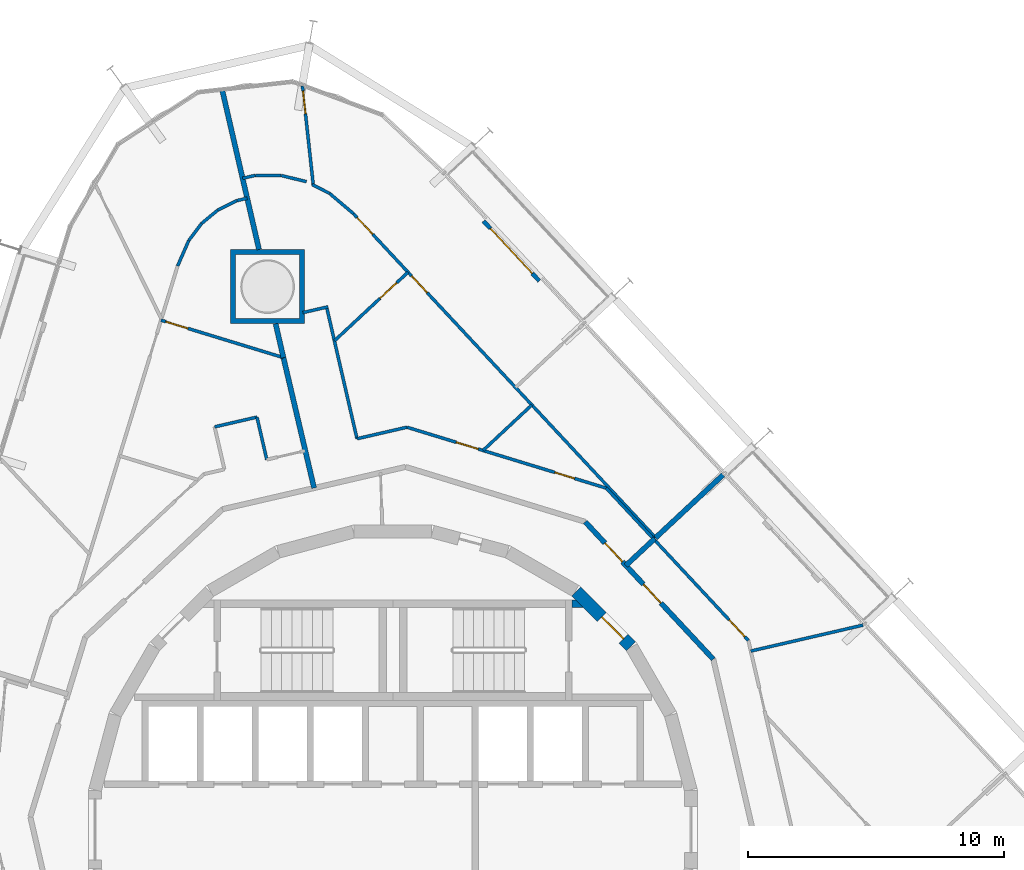
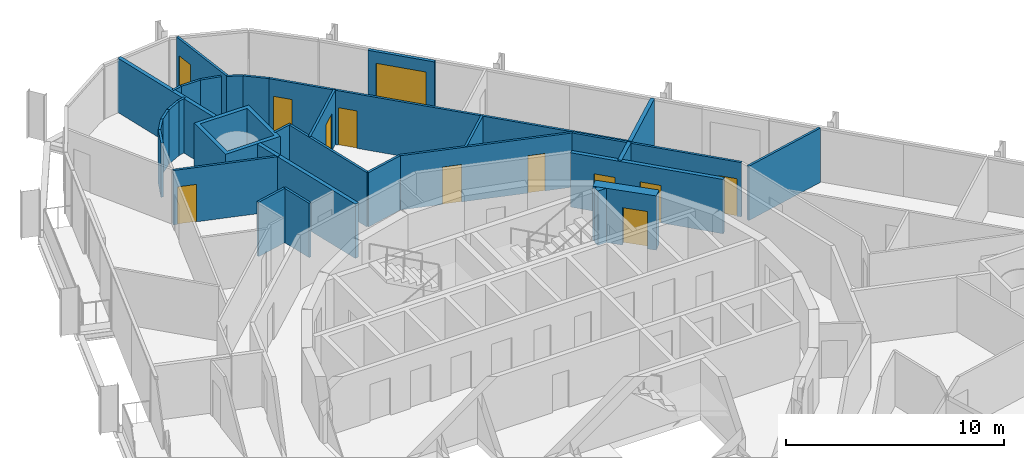
# One storey, part 16 of 18: 33 walls, 12 doors, 12 openings.
"""IFC4 building model written with IfcOpenShell, lengths in metres."""

from ifc_helpers import new_model, si_unit, direction, frame, frame_2d, origin, place, context, subcontext, project, spatial, polyline, rectangle, outline, extrude, material, layer, layer_set, type_object, element, fill, save


model = new_model("IFC4")

# Units and contexts
model_context = context("Model", 3, precision=1e-05, world=origin(), true_north=direction((0.0, 1.0)))
body_context = subcontext(model_context, "Body", "Model", "MODEL_VIEW")
ifc_project = project(units=[si_unit("LENGTHUNIT", "METRE"), si_unit("AREAUNIT", "SQUARE_METRE"), si_unit("VOLUMEUNIT", "CUBIC_METRE"), si_unit("PLANEANGLEUNIT", "RADIAN"), si_unit("MASSUNIT", "GRAM", prefix="KILO")], contexts=[model_context])

# Site, building, storey
site_placement = place(None, origin())
site = spatial("IfcSite", under=ifc_project, at=site_placement, CompositionType="ELEMENT")
building_placement = place(site_placement, origin())
building = spatial("IfcBuilding", under=site, at=building_placement, Name="Spindle Arch Residences", CompositionType="ELEMENT")
storey_placement = place(building_placement, frame((0.0, 0.0, 141.39990234375)))
storey = spatial("IfcBuildingStorey", under=building, at=storey_placement, Name="L35", CompositionType="ELEMENT", Elevation=141.39990234375)

# Wall, opening, door
ifc_material_1 = material(Name="Concrete C50/60", Category="concrete")
ifc_layer_1 = layer(ifc_material_1, 0.5)
ifc_layer_set_1 = layer_set([ifc_layer_1], Name="Core outline wall 500")
wall_type_1 = type_object("IfcWallType", Name="Core outline wall 500", PredefinedType="SHEAR", material=ifc_layer_set_1)
wall_1_placement = place(storey_placement, frame((9.30810546875, 7.163818359375, 0.0), z_axis=(0.0, 0.0, 1.0), x_axis=(-0.707106781187, 0.707106781187, 0.0)))
wall_1 = element("IfcWall", 1, at=wall_1_placement, inside=storey, type_object=wall_type_1, Name="Core outline wall 9", PredefinedType="SHEAR", context=body_context, shape_type="SweptSolid", body=[
    extrude(rectangle(XDim=3.032470703125, YDim=0.5, at=frame_2d((1.51611328125, 0.0))), origin(), (0.0, 0.0, 1.0), 3.050048828125),
])
opening_1_placement = place(wall_1_placement, frame((0.416259765625, 0.0, 0.0)))
opening_1 = element("IfcOpeningElement", 2, at=opening_1_placement, cuts=wall_1, Name="Opening R3C0-AD01", PredefinedType="OPENING", context=body_context, shape_type="SweptSolid", body=[
    extrude(rectangle(XDim=1.199951171875, YDim=2.10009765625, at=frame_2d((0.60009765625, 1.050048828125))), frame((0.0, 0.260009765625, 0.0), z_axis=(0.0, -1.0, 0.0), x_axis=(1.0, 0.0, 0.0)), (0.0, 0.0, 1.0), 0.52001953125),
])
ifc_material_2 = material(Name="Steel, fire-resisting door", Category="steel")
door_type_1 = type_object("IfcDoorType", Name="Stair airlock door 1200x2100", OperationType="SINGLE_SWING_LEFT", PredefinedType="DOOR", material=ifc_material_2)
door_1_placement = place(opening_1_placement, origin())
door_1 = element("IfcDoor", 3, at=door_1_placement, inside=storey, type_object=door_type_1, Name="Stair airlock door R3C0-AD01", OperationType="SINGLE_SWING_RIGHT", OverallHeight=2.10009765625, OverallWidth=1.199951171875, PredefinedType="DOOR", context=body_context, shape_type="SweptSolid", body=[
    extrude(rectangle(XDim=1.199951171875, YDim=2.10009765625, at=frame_2d((0.60009765625, 1.050048828125))), frame((0.0, 0.02490234375, 0.0), z_axis=(0.0, -1.0, 0.0), x_axis=(1.0, 0.0, 0.0)), (0.0, 0.0, 1.0), 0.050048828125),
])
fill(opening_1, door_1)

# Wall, openings, doors
ifc_material_3 = material(Name="Calcium silicate block, plastered")
ifc_layer_2 = layer(ifc_material_3, 0.199951171875)
ifc_layer_set_2 = layer_set([ifc_layer_2], Name="Corridor wall 200")
wall_type_2 = type_object("IfcWallType", Name="Corridor wall 200", PredefinedType="STANDARD", material=ifc_layer_set_2)
wall_2_placement = place(storey_placement, frame((12.523193359375, 6.65869140625, 0.0), z_axis=(0.0, 0.0, 1.0), x_axis=(-0.682001841105, 0.731350455479, 0.0)))
wall_2 = element("IfcWall", 4, at=wall_2_placement, inside=storey, type_object=wall_type_2, Name="Corridor wall R3C0-W006", PredefinedType="STANDARD", context=body_context, shape_type="SweptSolid", body=[
    extrude(rectangle(XDim=7.341796875, YDim=0.199951171875, at=frame_2d((3.6708984375, 0.0))), origin(), (0.0, 0.0, 1.0), 3.050048828125),
])
opening_2_placement = place(wall_2_placement, frame((3.0, 0.0, 0.0)))
opening_2 = element("IfcOpeningElement", 5, at=opening_2_placement, cuts=wall_2, Name="Opening R3C0-FD01", PredefinedType="OPENING", context=body_context, shape_type="SweptSolid", body=[
    extrude(rectangle(XDim=1.0, YDim=2.10009765625, at=frame_2d((0.5, 1.050048828125))), frame((0.0, 0.10986328125, 0.0), z_axis=(0.0, -1.0, 0.0), x_axis=(1.0, 0.0, 0.0)), (0.0, 0.0, 1.0), 0.219970703125),
])
opening_3_placement = place(wall_2_placement, frame((5.209228515625, 0.0, 0.0)))
opening_3 = element("IfcOpeningElement", 6, at=opening_3_placement, cuts=wall_2, Name="Opening R3C0-FD02", PredefinedType="OPENING", context=body_context, shape_type="SweptSolid", body=[
    extrude(rectangle(XDim=1.0, YDim=2.10009765625, at=frame_2d((0.5, 1.050048828125))), frame((0.0, 0.10986328125, 0.0), z_axis=(0.0, -1.0, 0.0), x_axis=(1.0, 0.0, 0.0)), (0.0, 0.0, 1.0), 0.219970703125),
])
ifc_material_4 = material(Name="Timber, fire-resisting door set", Category="wood")
door_type_2 = type_object("IfcDoorType", Name="Flat entrance door 1000x2100", OperationType="NOTDEFINED", PredefinedType="DOOR", material=ifc_material_4)
door_2_placement = place(opening_2_placement, origin())
door_2 = element("IfcDoor", 7, at=door_2_placement, inside=storey, type_object=door_type_2, Name="Flat entrance door R3C0-FD01", OperationType="SINGLE_SWING_LEFT", OverallHeight=2.10009765625, OverallWidth=1.0, PredefinedType="DOOR", context=body_context, shape_type="SweptSolid", body=[
    extrude(rectangle(XDim=1.0, YDim=2.10009765625, at=frame_2d((0.5, 1.050048828125))), frame((0.0, 0.02490234375, 0.0), z_axis=(0.0, -1.0, 0.0), x_axis=(1.0, 0.0, 0.0)), (0.0, 0.0, 1.0), 0.050048828125),
])
fill(opening_2, door_2)
door_3_placement = place(opening_3_placement, origin())
door_3 = element("IfcDoor", 8, at=door_3_placement, inside=storey, type_object=door_type_2, Name="Flat entrance door R3C0-FD02", OperationType="SINGLE_SWING_RIGHT", OverallHeight=2.10009765625, OverallWidth=1.0, PredefinedType="DOOR", context=body_context, shape_type="SweptSolid", body=[
    extrude(rectangle(XDim=1.0, YDim=2.10009765625, at=frame_2d((0.5, 1.050048828125))), frame((0.0, 0.02490234375, 0.0), z_axis=(0.0, -1.0, 0.0), x_axis=(1.0, 0.0, 0.0)), (0.0, 0.0, 1.0), 0.050048828125),
])
fill(opening_3, door_3)

# Wall, opening, door
ifc_material_5 = material(Name="Plasterboard on steel studs", Category="steel")
ifc_layer_3 = layer(ifc_material_5, 0.1201171875)
ifc_layer_set_3 = layer_set([ifc_layer_3], Name="Flat partition 120")
wall_type_3 = type_object("IfcWallType", Name="Flat partition 120", PredefinedType="PARTITIONING", material=ifc_layer_set_3)
wall_3_placement = place(storey_placement, frame((13.894287109375, 7.3876953125, 0.0), z_axis=(0.0, 0.0, 1.0), x_axis=(-0.681994622729, 0.731357186721, 0.0)))
wall_3 = element("IfcWall", 9, at=wall_3_placement, inside=storey, type_object=wall_type_3, Name="Flat partition R3C0-W034", PredefinedType="PARTITIONING", context=body_context, shape_type="SweptSolid", body=[
    extrude(rectangle(XDim=8.145751953125, YDim=0.1201171875, at=frame_2d((4.07275390625, 0.0))), origin(), (0.0, 0.0, 1.0), 3.050048828125),
])
opening_4_placement = place(wall_3_placement, frame((0.199951171875, 0.0, 0.0)))
opening_4 = element("IfcOpeningElement", 10, at=opening_4_placement, cuts=wall_3, Name="Opening R3C0-ID03", PredefinedType="OPENING", context=body_context, shape_type="SweptSolid", body=[
    extrude(rectangle(XDim=0.89990234375, YDim=2.10009765625, at=frame_2d((0.449951171875, 1.050048828125))), frame((0.0, 0.070068359375, 0.0), z_axis=(0.0, -1.0, 0.0), x_axis=(1.0, 0.0, 0.0)), (0.0, 0.0, 1.0), 0.14013671875),
])
ifc_material_6 = material(Name="Timber door set", Category="wood")
door_type_3 = type_object("IfcDoorType", Name="Room door 900x2100", OperationType="NOTDEFINED", PredefinedType="DOOR", material=ifc_material_6)
door_4_placement = place(opening_4_placement, origin())
door_4 = element("IfcDoor", 11, at=door_4_placement, inside=storey, type_object=door_type_3, Name="Room door R3C0-ID03", OperationType="SINGLE_SWING_LEFT", OverallHeight=2.10009765625, OverallWidth=0.89990234375, PredefinedType="DOOR", context=body_context, shape_type="SweptSolid", body=[
    extrude(rectangle(XDim=0.89990234375, YDim=2.10009765625, at=frame_2d((0.449951171875, 1.050048828125))), frame((0.0, 0.02490234375, 0.0), z_axis=(0.0, -1.0, 0.0), x_axis=(1.0, 0.0, 0.0)), (0.0, 0.0, 1.0), 0.050048828125),
])
fill(opening_4, door_4)

# Wall
wall_4_placement = place(storey_placement, frame((18.379150390625, 7.989990234375, 0.0), z_axis=(0.0, 0.0, 1.0), x_axis=(-0.974372926515, -0.224938658471, 0.0)))
element("IfcWall", 12, at=wall_4_placement, inside=storey, type_object=wall_type_3, Name="Flat partition R3C0-W040", PredefinedType="PARTITIONING", context=body_context, shape_type="SweptSolid", body=[
    extrude(rectangle(XDim=4.50537109375, YDim=0.1201171875, at=frame_2d((2.252685546875, 0.0))), origin(), (0.0, 0.0, 1.0), 3.050048828125),
])

# Wall, openings, doors
wall_5_placement = place(storey_placement, frame((8.3388671875, 13.34521484375, 0.0), z_axis=(0.0, 0.0, 1.0), x_axis=(-0.956310145342, 0.292354076276, 0.0)))
wall_5 = element("IfcWall", 13, at=wall_5_placement, inside=storey, type_object=wall_type_3, Name="Flat partition R3C0-W043", PredefinedType="PARTITIONING", context=body_context, shape_type="SweptSolid", body=[
    extrude(rectangle(XDim=8.1455078125, YDim=0.1201171875, at=frame_2d((4.07275390625, 0.0))), origin(), (0.0, 0.0, 1.0), 3.050048828125),
])
opening_5_placement = place(wall_5_placement, frame((1.300048828125, 0.0, 0.0)))
opening_5 = element("IfcOpeningElement", 14, at=opening_5_placement, cuts=wall_5, Name="Opening R3C0-BD02", PredefinedType="OPENING", context=body_context, shape_type="SweptSolid", body=[
    extrude(rectangle(XDim=0.800048828125, YDim=2.10009765625, at=frame_2d((0.39990234375, 1.050048828125))), frame((0.0, 0.070068359375, 0.0), z_axis=(0.0, -1.0, 0.0), x_axis=(1.0, 0.0, 0.0)), (0.0, 0.0, 1.0), 0.14013671875),
])
opening_6_placement = place(wall_5_placement, frame((5.236572265625, 0.0, 0.0)))
opening_6 = element("IfcOpeningElement", 15, at=opening_6_placement, cuts=wall_5, Name="Opening R3C0-ID07", PredefinedType="OPENING", context=body_context, shape_type="SweptSolid", body=[
    extrude(rectangle(XDim=0.89990234375, YDim=2.10009765625, at=frame_2d((0.449951171875, 1.050048828125))), frame((0.0, 0.070068359375, 0.0), z_axis=(0.0, -1.0, 0.0), x_axis=(1.0, 0.0, 0.0)), (0.0, 0.0, 1.0), 0.14013671875),
])
ifc_material_7 = material(Name="Timber door set", Category="wood")
door_type_4 = type_object("IfcDoorType", Name="Bathroom door 800x2100", OperationType="NOTDEFINED", PredefinedType="DOOR", material=ifc_material_7)
door_5_placement = place(opening_5_placement, origin())
door_5 = element("IfcDoor", 16, at=door_5_placement, inside=storey, type_object=door_type_4, Name="Bathroom door R3C0-BD02", OperationType="SINGLE_SWING_RIGHT", OverallHeight=2.10009765625, OverallWidth=0.800048828125, PredefinedType="DOOR", context=body_context, shape_type="SweptSolid", body=[
    extrude(rectangle(XDim=0.800048828125, YDim=2.10009765625, at=frame_2d((0.39990234375, 1.050048828125))), frame((0.0, 0.02490234375, 0.0), z_axis=(0.0, -1.0, 0.0), x_axis=(1.0, 0.0, 0.0)), (0.0, 0.0, 1.0), 0.050048828125),
])
fill(opening_5, door_5)
door_6_placement = place(opening_6_placement, origin())
door_6 = element("IfcDoor", 17, at=door_6_placement, inside=storey, type_object=door_type_3, Name="Room door R3C0-ID07", OperationType="SINGLE_SWING_RIGHT", OverallHeight=2.10009765625, OverallWidth=0.89990234375, PredefinedType="DOOR", context=body_context, shape_type="SweptSolid", body=[
    extrude(rectangle(XDim=0.89990234375, YDim=2.10009765625, at=frame_2d((0.449951171875, 1.050048828125))), frame((0.0, 0.02490234375, 0.0), z_axis=(0.0, -1.0, 0.0), x_axis=(1.0, 0.0, 0.0)), (0.0, 0.0, 1.0), 0.050048828125),
])
fill(opening_6, door_6)

# Walls
wall_6_placement = place(storey_placement, frame((0.54931640625, 15.7265625, 0.0), z_axis=(0.0, 0.0, 1.0), x_axis=(-0.97436861061, -0.224957352975, 0.0)))
element("IfcWall", 18, at=wall_6_placement, inside=storey, type_object=wall_type_3, Name="Flat partition R3C0-W044", PredefinedType="PARTITIONING", context=body_context, shape_type="SweptSolid", body=[
    extrude(rectangle(XDim=2.00439453125, YDim=0.1201171875, at=frame_2d((1.002197265625, 0.0))), origin(), (0.0, 0.0, 1.0), 3.050048828125),
])
wall_7_placement = place(storey_placement, frame((-1.40380859375, 15.275634765625, 0.0), z_axis=(0.0, 0.0, 1.0), x_axis=(-0.224947305813, 0.974370930194, 0.0)))
element("IfcWall", 19, at=wall_7_placement, inside=storey, type_object=wall_type_3, Name="Flat partition R3C0-W045", PredefinedType="PARTITIONING", context=body_context, shape_type="SweptSolid", body=[
    extrude(rectangle(XDim=5.280029296875, YDim=0.1201171875, at=frame_2d((2.64013671875, 0.0))), origin(), (0.0, 0.0, 1.0), 3.050048828125),
])
wall_8_placement = place(storey_placement, frame((-2.533203125, 20.43408203125, 0.0), z_axis=(0.0, 0.0, 1.0), x_axis=(-0.974387124574, -0.224877147491, 0.0)))
element("IfcWall", 20, at=wall_8_placement, inside=storey, type_object=wall_type_3, Name="Flat partition R3C0-W046", PredefinedType="PARTITIONING", context=body_context, shape_type="SweptSolid", body=[
    extrude(rectangle(XDim=1.0107421875, YDim=0.1201171875, at=frame_2d((0.50537109375, 0.0))), origin(), (0.0, 0.0, 1.0), 3.050048828125),
])

# Wall, openings, doors
wall_9_placement = place(storey_placement, frame((-1.538818359375, 24.07080078125, 0.0), z_axis=(0.0, 0.0, 1.0), x_axis=(0.68200220595, -0.731350115252, 0.0)))
wall_9 = element("IfcWall", 21, at=wall_9_placement, inside=storey, type_object=wall_type_3, Name="Flat partition R3C0-W047", PredefinedType="PARTITIONING", context=body_context, shape_type="SweptSolid", body=[
    extrude(rectangle(XDim=17.315673828125, YDim=0.1201171875, at=frame_2d((8.65771484375, 0.0))), origin(), (0.0, 0.0, 1.0), 3.050048828125),
])
opening_7_placement = place(wall_9_placement, frame((3.322998046875, 0.0, 0.0)))
opening_7 = element("IfcOpeningElement", 22, at=opening_7_placement, cuts=wall_9, Name="Opening R3C0-ID08", PredefinedType="OPENING", context=body_context, shape_type="SweptSolid", body=[
    extrude(rectangle(XDim=0.89990234375, YDim=2.10009765625, at=frame_2d((0.449951171875, 1.050048828125))), frame((0.0, 0.070068359375, 0.0), z_axis=(0.0, -1.0, 0.0), x_axis=(1.0, 0.0, 0.0)), (0.0, 0.0, 1.0), 0.14013671875),
])
opening_8_placement = place(wall_9_placement, frame((0.199951171875, 0.0, 0.0)))
opening_8 = element("IfcOpeningElement", 23, at=opening_8_placement, cuts=wall_9, Name="Opening R3C0-ID12", PredefinedType="OPENING", context=body_context, shape_type="SweptSolid", body=[
    extrude(rectangle(XDim=0.89990234375, YDim=2.10009765625, at=frame_2d((0.449951171875, 1.050048828125))), frame((0.0, 0.070068359375, 0.0), z_axis=(0.0, -1.0, 0.0), x_axis=(1.0, 0.0, 0.0)), (0.0, 0.0, 1.0), 0.14013671875),
])
door_7_placement = place(opening_7_placement, origin())
door_7 = element("IfcDoor", 24, at=door_7_placement, inside=storey, type_object=door_type_3, Name="Room door R3C0-ID08", OperationType="SINGLE_SWING_RIGHT", OverallHeight=2.10009765625, OverallWidth=0.89990234375, PredefinedType="DOOR", context=body_context, shape_type="SweptSolid", body=[
    extrude(rectangle(XDim=0.89990234375, YDim=2.10009765625, at=frame_2d((0.449951171875, 1.050048828125))), frame((0.0, 0.02490234375, 0.0), z_axis=(0.0, -1.0, 0.0), x_axis=(1.0, 0.0, 0.0)), (0.0, 0.0, 1.0), 0.050048828125),
])
fill(opening_7, door_7)
door_8_placement = place(opening_8_placement, origin())
door_8 = element("IfcDoor", 25, at=door_8_placement, inside=storey, type_object=door_type_3, Name="Room door R3C0-ID12", OperationType="SINGLE_SWING_LEFT", OverallHeight=2.10009765625, OverallWidth=0.89990234375, PredefinedType="DOOR", context=body_context, shape_type="SweptSolid", body=[
    extrude(rectangle(XDim=0.89990234375, YDim=2.10009765625, at=frame_2d((0.449951171875, 1.050048828125))), frame((0.0, 0.02490234375, 0.0), z_axis=(0.0, -1.0, 0.0), x_axis=(1.0, 0.0, 0.0)), (0.0, 0.0, 1.0), 0.050048828125),
])
fill(opening_8, door_8)

# Walls
wall_10_placement = place(storey_placement, frame((5.4306640625, 16.596923828125, 0.0), z_axis=(0.0, 0.0, 1.0), x_axis=(-0.731378807316, -0.681971436505, 0.0)))
element("IfcWall", 26, at=wall_10_placement, inside=storey, type_object=wall_type_3, Name="Flat partition R3C0-W049", PredefinedType="PARTITIONING", context=body_context, shape_type="SweptSolid", body=[
    extrude(rectangle(XDim=2.609130859375, YDim=0.1201171875, at=frame_2d((1.3046875, 0.0))), origin(), (0.0, 0.0, 1.0), 3.050048828125),
])
wall_11_placement = place(storey_placement, frame((-3.156005859375, 25.21240234375, 0.0), z_axis=(0.0, 0.0, 1.0), x_axis=(0.890954246936, -0.454093085025, 0.0)))
element("IfcWall", 27, at=wall_11_placement, inside=storey, type_object=wall_type_3, Name="Flat partition R3C0-W050", PredefinedType="PARTITIONING", context=body_context, shape_type="SweptSolid", body=[
    extrude(rectangle(XDim=0.76513671875, YDim=0.1201171875, at=frame_2d((0.382568359375, 0.0))), origin(), (0.0, 0.0, 1.0), 3.050048828125),
])
wall_12_placement = place(storey_placement, frame((-2.474365234375, 24.864990234375, 0.0), z_axis=(0.0, 0.0, 1.0), x_axis=(0.762351487461, -0.647163201647, 0.0)))
element("IfcWall", 28, at=wall_12_placement, inside=storey, type_object=wall_type_3, Name="Flat partition R3C0-W051", PredefinedType="PARTITIONING", context=body_context, shape_type="SweptSolid", body=[
    extrude(rectangle(XDim=1.227294921875, YDim=0.1201171875, at=frame_2d((0.61376953125, 0.0))), origin(), (0.0, 0.0, 1.0), 3.050048828125),
])

# Wall, opening, door
wall_13_placement = place(storey_placement, frame((-3.53759765625, 29.069580078125, 0.0), z_axis=(0.0, 0.0, 1.0), x_axis=(0.1087420482, -0.994070001033, 0.0)))
wall_13 = element("IfcWall", 29, at=wall_13_placement, inside=storey, type_object=wall_type_3, Name="Flat partition R3C0-W052", PredefinedType="PARTITIONING", context=body_context, shape_type="SweptSolid", body=[
    extrude(rectangle(XDim=3.902099609375, YDim=0.1201171875, at=frame_2d((1.951171875, 0.0))), origin(), (0.0, 0.0, 1.0), 3.050048828125),
])
opening_9_placement = place(wall_13_placement, frame((0.199951171875, 0.0, 0.0)))
opening_9 = element("IfcOpeningElement", 30, at=opening_9_placement, cuts=wall_13, Name="Opening R3C0-ID11", PredefinedType="OPENING", context=body_context, shape_type="SweptSolid", body=[
    extrude(rectangle(XDim=0.89990234375, YDim=2.10009765625, at=frame_2d((0.449951171875, 1.050048828125))), frame((0.0, 0.070068359375, 0.0), z_axis=(0.0, -1.0, 0.0), x_axis=(1.0, 0.0, 0.0)), (0.0, 0.0, 1.0), 0.14013671875),
])
door_9_placement = place(opening_9_placement, origin())
door_9 = element("IfcDoor", 31, at=door_9_placement, inside=storey, type_object=door_type_3, Name="Room door R3C0-ID11", OperationType="SINGLE_SWING_RIGHT", OverallHeight=2.10009765625, OverallWidth=0.89990234375, PredefinedType="DOOR", context=body_context, shape_type="SweptSolid", body=[
    extrude(rectangle(XDim=0.89990234375, YDim=2.10009765625, at=frame_2d((0.449951171875, 1.050048828125))), frame((0.0, 0.02490234375, 0.0), z_axis=(0.0, -1.0, 0.0), x_axis=(1.0, 0.0, 0.0)), (0.0, 0.0, 1.0), 0.050048828125),
])
fill(opening_9, door_9)

wall_14_placement = place(storey_placement, frame((0.591064453125, 21.786865234375, 0.0), z_axis=(0.0, 0.0, 1.0), x_axis=(-0.731364619453, -0.681986651931, 0.0)))
wall_14 = element("IfcWall", 32, at=wall_14_placement, inside=storey, type_object=wall_type_3, Name="Flat partition R3C0-W053", PredefinedType="PARTITIONING", context=body_context, shape_type="SweptSolid", body=[
    extrude(rectangle(XDim=3.935791015625, YDim=0.1201171875, at=frame_2d((1.9677734375, 0.0))), origin(), (0.0, 0.0, 1.0), 3.050048828125),
])
opening_10_placement = place(wall_14_placement, frame((0.60009765625, 0.0, 0.0)))
opening_10 = element("IfcOpeningElement", 33, at=opening_10_placement, cuts=wall_14, Name="Opening R3C0-ID09", PredefinedType="OPENING", context=body_context, shape_type="SweptSolid", body=[
    extrude(rectangle(XDim=0.89990234375, YDim=2.10009765625, at=frame_2d((0.449951171875, 1.050048828125))), frame((0.0, 0.070068359375, 0.0), z_axis=(0.0, -1.0, 0.0), x_axis=(1.0, 0.0, 0.0)), (0.0, 0.0, 1.0), 0.14013671875),
])
door_10_placement = place(opening_10_placement, origin())
door_10 = element("IfcDoor", 34, at=door_10_placement, inside=storey, type_object=door_type_3, Name="Room door R3C0-ID09", OperationType="SINGLE_SWING_RIGHT", OverallHeight=2.10009765625, OverallWidth=0.89990234375, PredefinedType="DOOR", context=body_context, shape_type="SweptSolid", body=[
    extrude(rectangle(XDim=0.89990234375, YDim=2.10009765625, at=frame_2d((0.449951171875, 1.050048828125))), frame((0.0, 0.02490234375, 0.0), z_axis=(0.0, -1.0, 0.0), x_axis=(1.0, 0.0, 0.0)), (0.0, 0.0, 1.0), 0.050048828125),
])
fill(opening_10, door_10)

# Walls
wall_15_placement = place(storey_placement, frame((-3.37939453125, 25.326416015625, 0.0), z_axis=(0.0, 0.0, 1.0), x_axis=(-0.971704876381, 0.236198292157, 0.0)))
element("IfcWall", 35, at=wall_15_placement, inside=storey, type_object=wall_type_3, Name="Flat partition R3C0-W054", PredefinedType="PARTITIONING", context=body_context, shape_type="SweptSolid", body=[
    extrude(rectangle(XDim=1.01611328125, YDim=0.1201171875, at=frame_2d((0.508056640625, 0.0))), origin(), (0.0, 0.0, 1.0), 3.050048828125),
])
wall_16_placement = place(storey_placement, frame((-4.36669921875, 25.56640625, 0.0), z_axis=(0.0, 0.0, 1.0), x_axis=(-0.999983366401, 0.005767748328, 0.0)))
element("IfcWall", 36, at=wall_16_placement, inside=storey, type_object=wall_type_3, Name="Flat partition R3C0-W055", PredefinedType="PARTITIONING", context=body_context, shape_type="SweptSolid", body=[
    extrude(rectangle(XDim=1.015869140625, YDim=0.1201171875, at=frame_2d((0.5078125, 0.0))), origin(), (0.0, 0.0, 1.0), 3.050048828125),
])
wall_17_placement = place(storey_placement, frame((-5.382568359375, 25.572265625, 0.0), z_axis=(0.0, 0.0, 1.0), x_axis=(-0.974366885246, -0.224964825997, 0.0)))
element("IfcWall", 37, at=wall_17_placement, inside=storey, type_object=wall_type_3, Name="Flat partition R3C0-W056", PredefinedType="PARTITIONING", context=body_context, shape_type="SweptSolid", body=[
    extrude(rectangle(XDim=0.5078125, YDim=0.1201171875, at=frame_2d((0.25390625, 0.0))), origin(), (0.0, 0.0, 1.0), 3.050048828125),
])
wall_18_placement = place(storey_placement, frame((-4.931396484375, 14.461181640625, 0.0), z_axis=(0.0, 0.0, 1.0), x_axis=(-0.224911785629, 0.974379129849, 0.0)))
element("IfcWall", 38, at=wall_18_placement, inside=storey, type_object=wall_type_3, Name="Flat partition R3C0-W058", PredefinedType="PARTITIONING", context=body_context, shape_type="SweptSolid", body=[
    extrude(rectangle(XDim=1.705322265625, YDim=0.1201171875, at=frame_2d((0.8525390625, 0.0))), origin(), (0.0, 0.0, 1.0), 3.050048828125),
])
wall_19_placement = place(storey_placement, frame((-5.31494140625, 16.122802734375, 0.0), z_axis=(0.0, 0.0, 1.0), x_axis=(-0.974352456598, -0.225027310168, 0.0)))
element("IfcWall", 39, at=wall_19_placement, inside=storey, type_object=wall_type_3, Name="Flat partition R3C0-W059", PredefinedType="PARTITIONING", context=body_context, shape_type="SweptSolid", body=[
    extrude(rectangle(XDim=1.7001953125, YDim=0.1201171875, at=frame_2d((0.85009765625, 0.0))), origin(), (0.0, 0.0, 1.0), 3.050048828125),
])
wall_20_placement = place(storey_placement, frame((-5.697509765625, 24.6787109375, 0.0), z_axis=(0.0, 0.0, 1.0), x_axis=(-0.974222160042, -0.225590742017, 0.0)))
element("IfcWall", 40, at=wall_20_placement, inside=storey, type_object=wall_type_3, Name="Flat partition R3C0-W064", PredefinedType="PARTITIONING", context=body_context, shape_type="SweptSolid", body=[
    extrude(rectangle(XDim=0.41455078125, YDim=0.1201171875, at=frame_2d((0.207275390625, 0.0))), origin(), (0.0, 0.0, 1.0), 3.050048828125),
])
wall_21_placement = place(storey_placement, frame((-6.101318359375, 24.585205078125, 0.0), z_axis=(0.0, 0.0, 1.0), x_axis=(-0.896362871824, -0.443321104862, 0.0)))
element("IfcWall", 41, at=wall_21_placement, inside=storey, type_object=wall_type_3, Name="Flat partition R3C0-W065", PredefinedType="PARTITIONING", context=body_context, shape_type="SweptSolid", body=[
    extrude(rectangle(XDim=0.828857421875, YDim=0.1201171875, at=frame_2d((0.41455078125, 0.0))), origin(), (0.0, 0.0, 1.0), 3.050048828125),
])
wall_22_placement = place(storey_placement, frame((-6.84423828125, 24.2177734375, 0.0), z_axis=(0.0, 0.0, 1.0), x_axis=(-0.769715611418, -0.63838693403, 0.0)))
element("IfcWall", 42, at=wall_22_placement, inside=storey, type_object=wall_type_3, Name="Flat partition R3C0-W066", PredefinedType="PARTITIONING", context=body_context, shape_type="SweptSolid", body=[
    extrude(rectangle(XDim=0.8291015625, YDim=0.1201171875, at=frame_2d((0.41455078125, 0.0))), origin(), (0.0, 0.0, 1.0), 3.050048828125),
])
wall_23_placement = place(storey_placement, frame((-7.482421875, 23.6884765625, 0.0), z_axis=(0.0, 0.0, 1.0), x_axis=(-0.601836624867, -0.798619231529, 0.0)))
element("IfcWall", 43, at=wall_23_placement, inside=storey, type_object=wall_type_3, Name="Flat partition R3C0-W067", PredefinedType="PARTITIONING", context=body_context, shape_type="SweptSolid", body=[
    extrude(rectangle(XDim=0.828857421875, YDim=0.1201171875, at=frame_2d((0.41455078125, 0.0))), origin(), (0.0, 0.0, 1.0), 3.050048828125),
])
wall_24_placement = place(storey_placement, frame((-7.981201171875, 23.026611328125, 0.0), z_axis=(0.0, 0.0, 1.0), x_axis=(-0.401360750198, -0.915920055573, 0.0)))
element("IfcWall", 44, at=wall_24_placement, inside=storey, type_object=wall_type_3, Name="Flat partition R3C0-W068", PredefinedType="PARTITIONING", context=body_context, shape_type="SweptSolid", body=[
    extrude(rectangle(XDim=1.0869140625, YDim=0.1201171875, at=frame_2d((0.54345703125, 0.0))), origin(), (0.0, 0.0, 1.0), 3.050048828125),
])

# Wall, opening, door
wall_25_placement = place(storey_placement, frame((-9.06591796875, 19.910400390625, 0.0), z_axis=(0.0, 0.0, 1.0), x_axis=(0.956313309797, -0.292343724928, 0.0)))
wall_25 = element("IfcWall", 45, at=wall_25_placement, inside=storey, type_object=wall_type_3, Name="Flat partition R3C0-W070", PredefinedType="PARTITIONING", context=body_context, shape_type="SweptSolid", body=[
    extrude(rectangle(XDim=5.00390625, YDim=0.1201171875, at=frame_2d((2.501953125, 0.0))), origin(), (0.0, 0.0, 1.0), 3.050048828125),
])
opening_11_placement = place(wall_25_placement, frame((0.199951171875, 0.0, 0.0)))
opening_11 = element("IfcOpeningElement", 46, at=opening_11_placement, cuts=wall_25, Name="Opening R3C0-ID15", PredefinedType="OPENING", context=body_context, shape_type="SweptSolid", body=[
    extrude(rectangle(XDim=0.89990234375, YDim=2.10009765625, at=frame_2d((0.449951171875, 1.050048828125))), frame((0.0, 0.070068359375, 0.0), z_axis=(0.0, -1.0, 0.0), x_axis=(1.0, 0.0, 0.0)), (0.0, 0.0, 1.0), 0.14013671875),
])
door_11_placement = place(opening_11_placement, origin())
door_11 = element("IfcDoor", 47, at=door_11_placement, inside=storey, type_object=door_type_3, Name="Room door R3C0-ID15", OperationType="SINGLE_SWING_LEFT", OverallHeight=2.10009765625, OverallWidth=0.89990234375, PredefinedType="DOOR", context=body_context, shape_type="SweptSolid", body=[
    extrude(rectangle(XDim=0.89990234375, YDim=2.10009765625, at=frame_2d((0.449951171875, 1.050048828125))), frame((0.0, 0.02490234375, 0.0), z_axis=(0.0, -1.0, 0.0), x_axis=(1.0, 0.0, 0.0)), (0.0, 0.0, 1.0), 0.050048828125),
])
fill(opening_11, door_11)

# Walls
ifc_material_8 = material(Name="Calcium silicate block, plastered")
ifc_layer_4 = layer(ifc_material_8, 0.199951171875)
ifc_layer_set_4 = layer_set([ifc_layer_4], Name="Flat party wall 200")
wall_type_4 = type_object("IfcWallType", Name="Flat party wall 200", PredefinedType="STANDARD", material=ifc_layer_set_4)
wall_26_placement = place(storey_placement, frame((10.233154296875, 11.372314453125, 0.0), z_axis=(0.0, 0.0, 1.0), x_axis=(-0.731329353292, -0.682024469513, 0.0)))
element("IfcWall", 48, at=wall_26_placement, inside=storey, type_object=wall_type_4, Name="Flat party wall R3C0-W016", PredefinedType="STANDARD", context=body_context, shape_type="SweptSolid", body=[
    extrude(rectangle(XDim=1.5400390625, YDim=0.199951171875, at=frame_2d((0.77001953125, 0.0))), origin(), (0.0, 0.0, 1.0), 3.050048828125),
])
wall_27_placement = place(storey_placement, frame((12.9033203125, 13.8623046875, 0.0), z_axis=(0.0, 0.0, 1.0), x_axis=(-0.731328084739, -0.682025829769, 0.0)))
element("IfcWall", 49, at=wall_27_placement, inside=storey, type_object=wall_type_4, Name="Flat party wall R3C0-W019", PredefinedType="STANDARD", context=body_context, shape_type="SweptSolid", body=[
    extrude(rectangle(XDim=3.60009765625, YDim=0.199951171875, at=frame_2d((1.800048828125, 0.0))), origin(), (0.0, 0.0, 1.0), 3.050048828125),
])
wall_28_placement = place(storey_placement, frame((-4.280517578125, 18.447509765625, 0.0), z_axis=(0.0, 0.0, 1.0), x_axis=(0.228867856942, -0.973457499873, 0.0)))
element("IfcWall", 50, at=wall_28_placement, inside=storey, type_object=wall_type_4, Name="Flat party wall R3C0-W021", PredefinedType="STANDARD", context=body_context, shape_type="SweptSolid", body=[
    extrude(rectangle(XDim=5.237548828125, YDim=0.199951171875, at=frame_2d((2.61865234375, 0.0))), origin(), (0.0, 0.0, 1.0), 3.050048828125),
])
wall_29_placement = place(storey_placement, frame((-4.5859375, 19.770751953125, 0.0), z_axis=(0.0, 0.0, 1.0), x_axis=(0.224898895484, -0.974382105136, 0.0)))
element("IfcWall", 51, at=wall_29_placement, inside=storey, type_object=wall_type_4, Name="Flat party wall R3C0-W022", PredefinedType="STANDARD", context=body_context, shape_type="SweptSolid", body=[
    extrude(rectangle(XDim=1.35791015625, YDim=0.199951171875, at=frame_2d((0.678955078125, 0.0))), origin(), (0.0, 0.0, 1.0), 3.050048828125),
])
wall_30_placement = place(storey_placement, frame((-6.687255859375, 28.9658203125, 0.0), z_axis=(0.0, 0.0, 1.0), x_axis=(0.224945100086, -0.974371439415, 0.0)))
element("IfcWall", 52, at=wall_30_placement, inside=storey, type_object=wall_type_4, Name="Flat party wall R3C0-W023", PredefinedType="STANDARD", context=body_context, shape_type="SweptSolid", body=[
    extrude(rectangle(XDim=6.457763671875, YDim=0.199951171875, at=frame_2d((3.22900390625, 0.0))), origin(), (0.0, 0.0, 1.0), 3.050048828125),
])

# Wall, opening, door
ifc_material_9 = material(Name="Non-combustible mineral wool insulated aluminium faced external wall (K0)", Category="aluminium")
ifc_layer_5 = layer(ifc_material_9, 0.159912109375)
ifc_layer_set_5 = layer_set([ifc_layer_5], Name="Insulated external wall panel 160")
wall_type_5 = type_object("IfcWallType", Name="Insulated external wall panel 160", PredefinedType="STANDARD", material=ifc_layer_set_5)
wall_31_placement = place(storey_placement, frame((5.72216796875, 21.44580078125, 0.0), z_axis=(0.0, 0.0, 1.0), x_axis=(-0.681994703002, 0.731357111866, 0.0)))
wall_31 = element("IfcWall", 53, at=wall_31_placement, inside=storey, type_object=wall_type_5, Name="External wall L35 bay 9", PredefinedType="STANDARD", context=body_context, shape_type="SweptSolid", body=[
    extrude(rectangle(XDim=3.199951171875, YDim=0.159912109375, at=frame_2d((1.60009765625, 0.0))), origin(), (0.0, 0.0, 1.0), 3.050048828125),
])
opening_12_placement = place(wall_31_placement, frame((0.39990234375, 0.0, 0.0)))
opening_12 = element("IfcOpeningElement", 54, at=opening_12_placement, cuts=wall_31, Name="Opening BD09", PredefinedType="OPENING", context=body_context, shape_type="SweptSolid", body=[
    extrude(rectangle(XDim=2.39990234375, YDim=2.39990234375, at=frame_2d((1.199951171875, 1.199951171875))), frame((0.0, 0.08984375, 0.0), z_axis=(0.0, -1.0, 0.0), x_axis=(1.0, 0.0, 0.0)), (0.0, 0.0, 1.0), 0.179931640625),
])
ifc_material_10 = material(Name="Bronze aluminium frame, tinted double glazing", Category="aluminium")
door_type_5 = type_object("IfcDoorType", Name="Sliding glazed balcony door 2400x2400", OperationType="DOUBLE_DOOR_SLIDING", PredefinedType="DOOR", material=ifc_material_10)
door_12_placement = place(opening_12_placement, origin())
door_12 = element("IfcDoor", 55, at=door_12_placement, inside=storey, type_object=door_type_5, Name="Balcony door BD09", OperationType="DOUBLE_DOOR_SLIDING", OverallHeight=2.39990234375, OverallWidth=2.39990234375, PredefinedType="DOOR", context=body_context, shape_type="SweptSolid", body=[
    extrude(rectangle(XDim=2.39990234375, YDim=2.39990234375, at=frame_2d((1.199951171875, 1.199951171875))), frame((0.0, 0.02490234375, 0.0), z_axis=(0.0, -1.0, 0.0), x_axis=(1.0, 0.0, 0.0)), (0.0, 0.0, 1.0), 0.050048828125),
])
fill(opening_12, door_12)

# Walls
ifc_material_11 = material(Name="Calcium silicate block, plastered")
ifc_layer_6 = layer(ifc_material_11, 0.199951171875)
ifc_layer_set_6 = layer_set([ifc_layer_6], Name="Mega-column casing wall 200")
wall_type_6 = type_object("IfcWallType", Name="Mega-column casing wall 200", PredefinedType="STANDARD", material=ifc_layer_set_6)
wall_32_placement = place(storey_placement, origin())
element("IfcWall", 56, at=wall_32_placement, inside=storey, type_object=wall_type_6, Name="Mega-column casing wall R3C0-WC01", PredefinedType="STANDARD", context=body_context, shape_type="SweptSolid", body=[
    extrude(outline(polyline([(-3.44970703125, 22.673583984375), (-3.44970703125, 19.7734375), (-6.349853515625, 19.7734375), (-6.349853515625, 22.673583984375), (-3.44970703125, 22.673583984375)]), holes=[polyline([(-6.14990234375, 19.973388671875), (-3.64990234375, 19.973388671875), (-3.64990234375, 22.473388671875), (-6.14990234375, 22.473388671875), (-6.14990234375, 19.973388671875)])]), origin(), (0.0, 0.0, 1.0), 3.050048828125),
])
ifc_material_12 = material(Name="Concrete C40/50", Category="concrete")
wall_type_7 = type_object("IfcWallType", Name="Stair airlock wall profile", PredefinedType="SHEAR", material=ifc_material_12)
wall_33_placement = place(storey_placement, origin())
element("IfcWall", 57, at=wall_33_placement, inside=storey, type_object=wall_type_7, Name="Stair ST-1 airlock wall N", PredefinedType="SHEAR", context=body_context, shape_type="SweptSolid", body=[
    extrude(outline(polyline([(7.4482421875, 8.669921875), (7.0, 8.669921875), (7.0, 8.969970703125), (7.148193359375, 8.969970703125), (7.4482421875, 8.669921875)])), origin(), (0.0, 0.0, 1.0), 3.050048828125),
])

save(model, "model.ifc")
